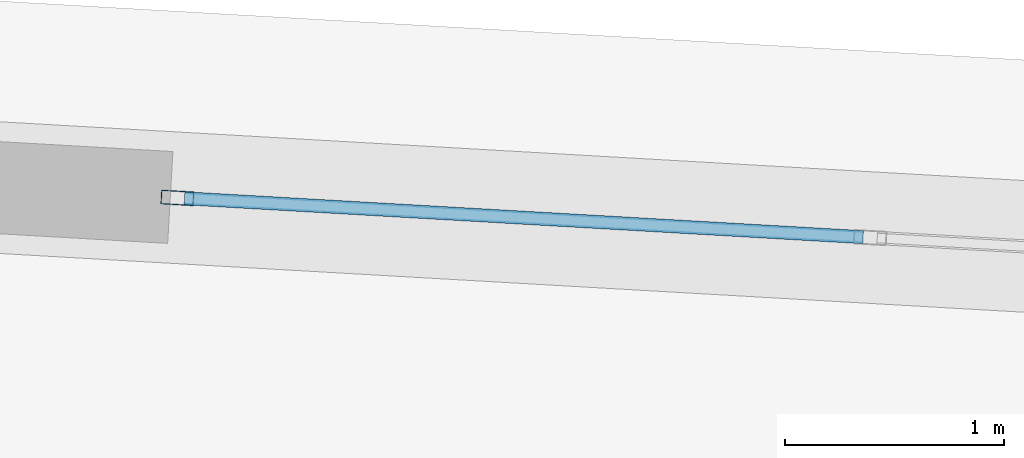
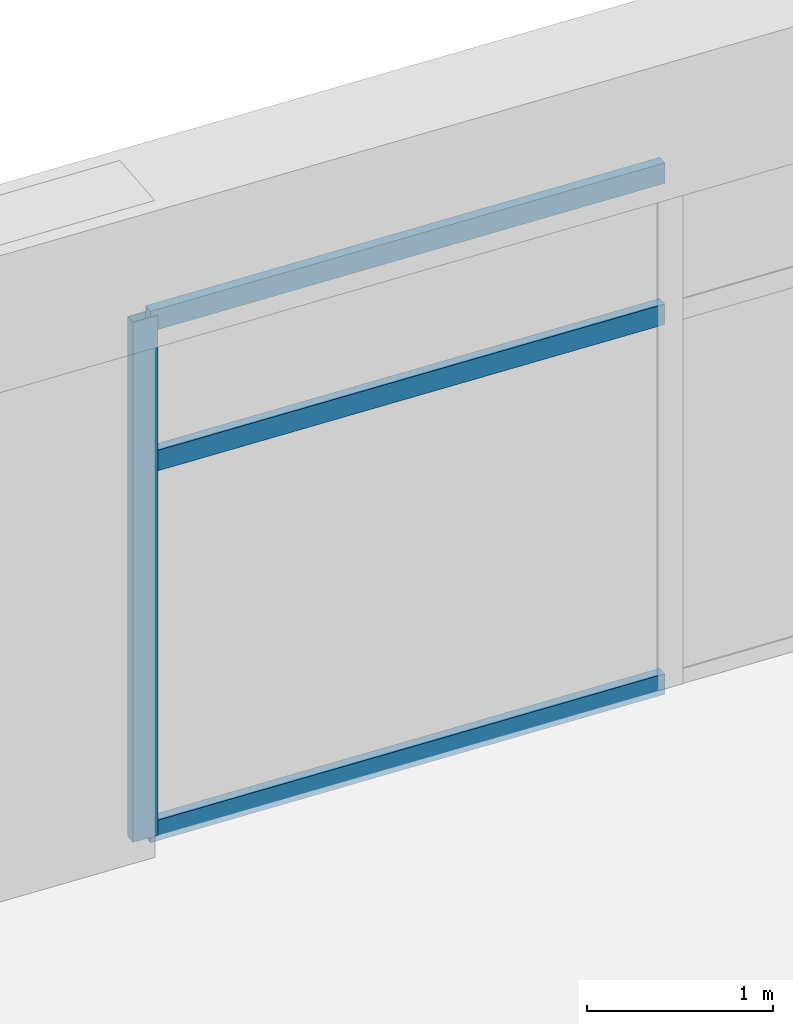
# One storey, part 21 of 30: 4 members, 1 element without a shape of its own.
"""IFC4 building model written with IfcOpenShell, lengths in metres."""

from ifc_helpers import new_model, si_unit, direction, frame, origin, origin_2d, place, context, subcontext, project, spatial, hollow_rectangle, extrude, source, transform, mapped, material, layer, layer_set, material_profile, profile_set, type_object, element, aggregate, save


model = new_model("IFC4")

# Units and contexts
model_context = context("Model", 3, precision=1e-05, world=origin(), true_north=direction((0.0, 1.0)))
body_context = subcontext(model_context, "Body", "Model", "MODEL_VIEW")
ifc_project = project(units=[si_unit("LENGTHUNIT", "METRE"), si_unit("AREAUNIT", "SQUARE_METRE"), si_unit("VOLUMEUNIT", "CUBIC_METRE"), si_unit("PLANEANGLEUNIT", "RADIAN"), si_unit("MASSUNIT", "GRAM", prefix="KILO")], contexts=[model_context])

# Site, building, storey
site_placement = place(None, origin())
site = spatial("IfcSite", under=ifc_project, at=site_placement, CompositionType="ELEMENT")
building_placement = place(site_placement, origin())
building = spatial("IfcBuilding", under=site, at=building_placement, Name="Liaohun Quay Tower", CompositionType="ELEMENT")
storey_placement = place(building_placement, frame((0.0, 0.0, 97.5)))
storey = spatial("IfcBuildingStorey", under=building, at=storey_placement, Name="L25", CompositionType="ELEMENT", Elevation=97.5)

# Curtain wall, members
ifc_material_1 = material(Name="Low-rise sky-lobby belvedere curtain wall")
ifc_layer = layer(ifc_material_1, 0.199951171875, Name="Low-rise sky-lobby belvedere curtain wall")
ifc_layer_set = layer_set([ifc_layer], Name="Low-rise sky-lobby belvedere curtain wall")
curtain_wall_type = type_object("IfcCurtainWallType", Name="CW-SKY-L25", PredefinedType="NOTDEFINED", material=ifc_layer_set)
curtain_wall_placement = place(storey_placement, origin())
curtain_wall = element("IfcCurtainWall", 1, at=curtain_wall_placement, inside=storey, type_object=curtain_wall_type, Name="L25 Panoramic Belvedere Curtain Wall 03", PredefinedType="NOTDEFINED")
ifc_material_2 = material(Name="Anodised aluminium 6063-T6", Category="aluminium")
ifc_material_profile_1 = material_profile(ifc_material_2, hollow_rectangle(XDim=0.06494140625, YDim=0.14990234375, WallThickness=0.00390625, at=origin_2d()), Name="RHS150x65x4")
ifc_profile_set_1 = profile_set([ifc_material_profile_1], Name="Anodised aluminium 6063-T6")
member_type_1 = type_object("IfcMemberType", Name="MEM-CWM-SKY", PredefinedType="MULLION", material=ifc_profile_set_1)
shared_shape_1 = source(origin(), body_context, "Body", "SweptSolid", [
    extrude(hollow_rectangle(XDim=0.06494140625, YDim=0.14990234375, WallThickness=0.00390625, at=origin_2d()), origin(), (0.0, 0.0, 1.0), 3.419921875),
])
member_1_placement = place(storey_placement, frame((70.96044921875, 80.154052734375, 0.0), z_axis=(0.0, 0.0, 1.0), x_axis=(-0.057192193826, -0.998363186904, 0.0)))
member_1 = element("IfcMember", 2, at=member_1_placement, type_object=member_type_1, Name="CW3 mullion 3", PredefinedType="MULLION", context=body_context, shape_type="MappedRepresentation", body=[
    mapped(shared_shape_1, transform((0.0, 0.0, 0.0), x_axis=(1.0, 0.0, 0.0), y_axis=(0.0, 1.0, 0.0), z_axis=(0.0, 0.0, 1.0), scale=1.0)),
])
ifc_material_profile_2 = material_profile(ifc_material_2, hollow_rectangle(XDim=0.06005859375, YDim=0.135009765625, WallThickness=0.00390625, at=origin_2d()), Name="RHS135x60x4")
ifc_profile_set_2 = profile_set([ifc_material_profile_2], Name="Anodised aluminium 6063-T6")
member_type_2 = type_object("IfcMemberType", Name="MEM-CWT-SKY", PredefinedType="USERDEFINED", material=ifc_profile_set_2)
shared_shape_2 = source(origin(), body_context, "Body", "SweptSolid", [
    extrude(hollow_rectangle(XDim=0.06005859375, YDim=0.135009765625, WallThickness=0.00390625, at=origin_2d()), origin(), (0.0, 0.0, 1.0), 3.102294921875),
])
member_2_placement = place(storey_placement, frame((74.090087890625, 79.974853515625, 0.030029296875), z_axis=(-0.998361972037, 0.057213396947, 0.0), x_axis=(-0.057213396947, -0.998361972037, 0.0)))
member_2 = element("IfcMember", 3, at=member_2_placement, type_object=member_type_2, Name="CW3 transom 2.1", ObjectType="TRANSOM", PredefinedType="USERDEFINED", context=body_context, shape_type="MappedRepresentation", body=[
    mapped(shared_shape_2, transform((0.0, 0.0, 0.0), x_axis=(1.0, 0.0, 0.0), y_axis=(0.0, 1.0, 0.0), z_axis=(0.0, 0.0, 1.0), scale=1.0)),
])
member_3_placement = place(storey_placement, frame((74.090087890625, 79.974853515625, 2.4619140625), z_axis=(-0.998361972037, 0.057213396947, 0.0), x_axis=(-0.057213396947, -0.998361972037, 0.0)))
member_3 = element("IfcMember", 4, at=member_3_placement, type_object=member_type_2, Name="CW3 transom 2.2", ObjectType="TRANSOM", PredefinedType="USERDEFINED", context=body_context, shape_type="MappedRepresentation", body=[
    mapped(shared_shape_2, transform((0.0, 0.0, 0.0), x_axis=(1.0, 0.0, 0.0), y_axis=(0.0, 1.0, 0.0), z_axis=(0.0, 0.0, 1.0), scale=1.0)),
])
member_4_placement = place(storey_placement, frame((74.090087890625, 79.974853515625, 3.389892578125), z_axis=(-0.998361972037, 0.057213396947, 0.0), x_axis=(-0.057213396947, -0.998361972037, 0.0)))
member_4 = element("IfcMember", 5, at=member_4_placement, type_object=member_type_2, Name="CW3 transom 2.3", ObjectType="TRANSOM", PredefinedType="USERDEFINED", context=body_context, shape_type="MappedRepresentation", body=[
    mapped(shared_shape_2, transform((0.0, 0.0, 0.0), x_axis=(1.0, 0.0, 0.0), y_axis=(0.0, 1.0, 0.0), z_axis=(0.0, 0.0, 1.0), scale=1.0)),
])
aggregate(curtain_wall, [member_1, member_2, member_3, member_4])

save(model, "model.ifc")
